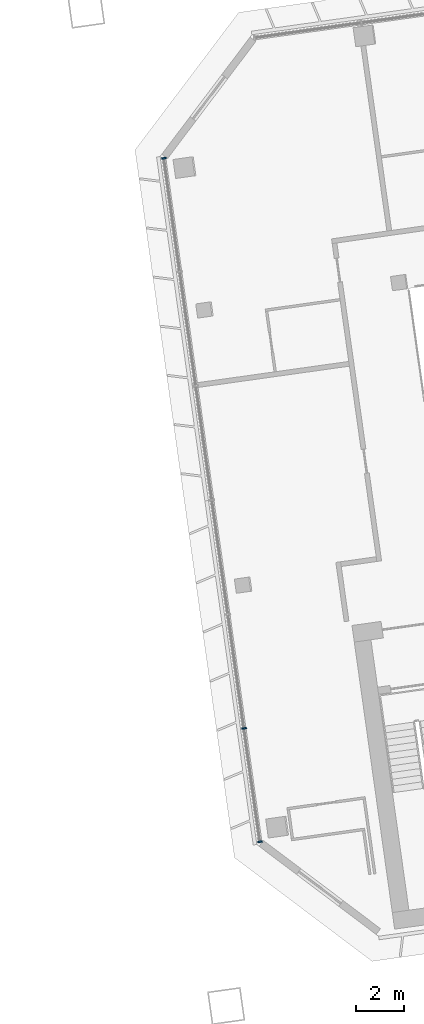
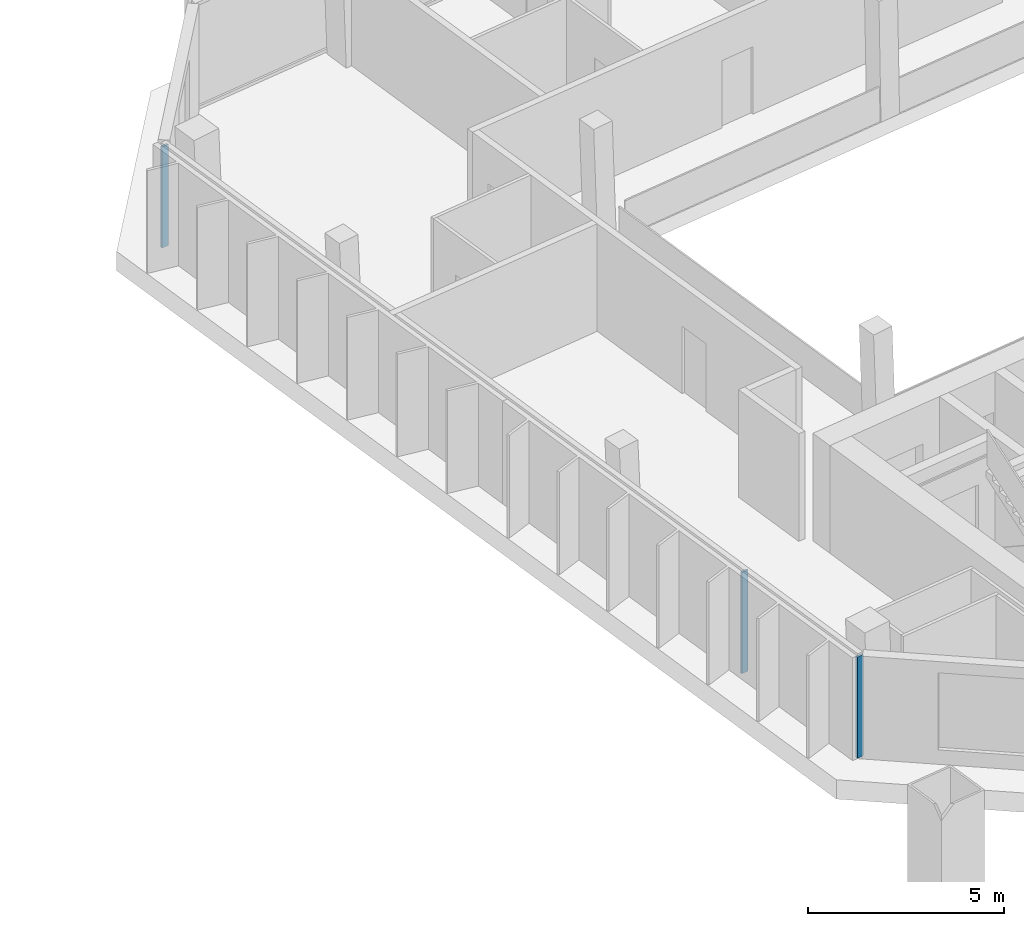
# One storey, part 9 of 25: 3 members, 1 element without a shape of its own.
"""IFC4 building model written with IfcOpenShell, lengths in metres."""

from ifc_helpers import new_model, si_unit, direction, frame, origin, origin_2d, place, context, subcontext, project, spatial, rectangle, extrude, material, material_profile, profile_set, type_object, element, aggregate, save


model = new_model("IFC4")

# Units and contexts
model_context = context("Model", 3, precision=1e-05, world=origin(), true_north=direction((0.0, 1.0)))
body_context = subcontext(model_context, "Body", "Model", "MODEL_VIEW")
ifc_project = project(units=[si_unit("LENGTHUNIT", "METRE"), si_unit("AREAUNIT", "SQUARE_METRE"), si_unit("VOLUMEUNIT", "CUBIC_METRE"), si_unit("PLANEANGLEUNIT", "RADIAN"), si_unit("MASSUNIT", "GRAM", prefix="KILO")], contexts=[model_context])

# Site, building, storey
site_placement = place(None, origin())
site = spatial("IfcSite", under=ifc_project, at=site_placement, CompositionType="ELEMENT")
building_placement = place(site_placement, origin())
building = spatial("IfcBuilding", under=site, at=building_placement, Name="Mirante Cascada Hotel Towers", CompositionType="ELEMENT")
storey_placement = place(building_placement, frame((0.0, 0.0, 172.6)))
storey = spatial("IfcBuildingStorey", under=building, at=storey_placement, Name="L40", CompositionType="ELEMENT", Elevation=172.6)

# Curtain wall, members
ifc_material_1 = material(Name="Aluminium mullion and transom frame with clear laminated glass", Category="aluminium")
curtain_wall_type = type_object("IfcCurtainWallType", Name="End ribbon curtain wall ECW2", PredefinedType="NOTDEFINED", material=ifc_material_1)
curtain_wall_placement = place(storey_placement, origin())
curtain_wall = element("IfcCurtainWall", 1, at=curtain_wall_placement, inside=storey, type_object=curtain_wall_type, Name="Inner end wall T2 L40", PredefinedType="NOTDEFINED")
ifc_material_2 = material(Name="Anodised aluminium extrusion", Category="aluminium")
ifc_material_profile = material_profile(ifc_material_2, rectangle(XDim=0.2, YDim=0.065, at=origin_2d()), Name="ECW2 MULLION 65x200")
ifc_profile_set = profile_set([ifc_material_profile], Name="Anodised aluminium extrusion")
member_type = type_object("IfcMemberType", Name="ECW2 mullion 65x200", PredefinedType="MULLION", material=ifc_profile_set)
member_1_placement = place(storey_placement, frame((27.6419, 12.2155, 0.1), z_axis=(0.0, 0.0, 1.0), x_axis=(0.9902681, 0.1391731, 0.0)))
member_1 = element("IfcMember", 2, at=member_1_placement, type_object=member_type, Name="ECW2 mullion 1", PredefinedType="MULLION", context=body_context, shape_type="SweptSolid", body=[
    extrude(rectangle(XDim=0.2, YDim=0.065, at=origin_2d()), origin(), (0.0, 0.0, 1.0), 3.15),
])
member_2_placement = place(storey_placement, frame((30.9863, -11.5812, 0.1), z_axis=(0.0, 0.0, 1.0), x_axis=(0.9902681, 0.1391731, 0.0)))
member_2 = element("IfcMember", 3, at=member_2_placement, type_object=member_type, Name="ECW2 mullion 6", PredefinedType="MULLION", context=body_context, shape_type="SweptSolid", body=[
    extrude(rectangle(XDim=0.2, YDim=0.065, at=origin_2d()), origin(), (0.0, 0.0, 1.0), 3.15),
])
member_3_placement = place(storey_placement, frame((31.6515, -16.3148, 0.1), z_axis=(0.0, 0.0, 1.0), x_axis=(0.9902681, 0.1391731, 0.0)))
member_3 = element("IfcMember", 4, at=member_3_placement, type_object=member_type, Name="ECW2 mullion 7", PredefinedType="MULLION", context=body_context, shape_type="SweptSolid", body=[
    extrude(rectangle(XDim=0.2, YDim=0.065, at=origin_2d()), origin(), (0.0, 0.0, 1.0), 3.15),
])
aggregate(curtain_wall, [member_1, member_2, member_3])

save(model, "model.ifc")
